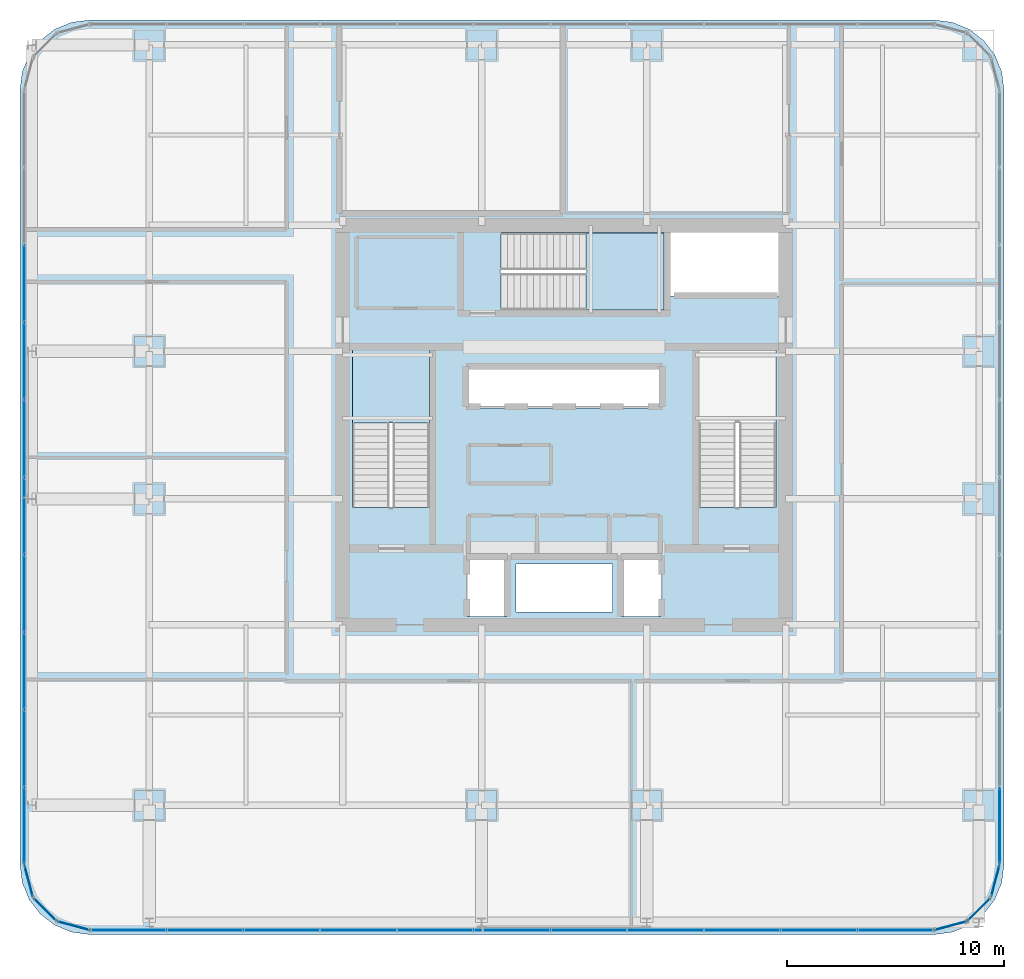
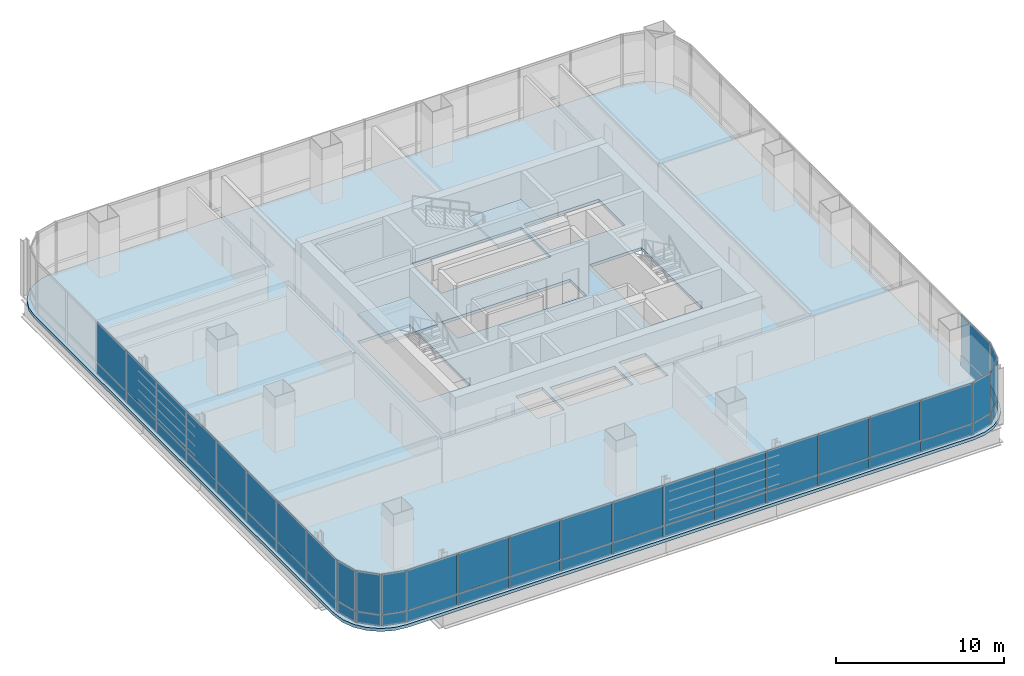
# One storey, part 27 of 36: 52 plates, 3 slabs, 11 elements without a shape of their own.
"""IFC4 building model written with IfcOpenShell, lengths in metres."""

from ifc_helpers import new_model, si_unit, direction, frame, origin, origin_2d, place, context, subcontext, project, spatial, polyline, rectangle, outline, extrude, material, layer, layer_set, type_object, element, aggregate, save


model = new_model("IFC4")

# Units and contexts
model_context = context("Model", 3, precision=1e-05, world=origin(), true_north=direction((0.0, 1.0)))
body_context = subcontext(model_context, "Body", "Model", "MODEL_VIEW")
ifc_project = project(units=[si_unit("LENGTHUNIT", "METRE"), si_unit("AREAUNIT", "SQUARE_METRE"), si_unit("VOLUMEUNIT", "CUBIC_METRE"), si_unit("PLANEANGLEUNIT", "RADIAN"), si_unit("MASSUNIT", "GRAM", prefix="KILO")], contexts=[model_context])

# Site, building, storey
site_placement = place(None, origin())
site = spatial("IfcSite", under=ifc_project, at=site_placement, CompositionType="ELEMENT")
building_placement = place(site_placement, origin())
building = spatial("IfcBuilding", under=site, at=building_placement, Name="Punatoya Terracotta Tower", CompositionType="ELEMENT")
storey_placement = place(building_placement, frame((0.0, 0.0, 180.300048828125)))
storey = spatial("IfcBuildingStorey", under=building, at=storey_placement, Name="L42", CompositionType="ELEMENT", Elevation=180.300048828125)

# Curtain wall, plates
ifc_material_1 = material(Name="Aluminium 6063-T6 + Double Low-E Glass", Category="aluminium")
curtain_wall_type = type_object("IfcCurtainWallType", Name="CW-M2", PredefinedType="NOTDEFINED", material=ifc_material_1)
curtain_wall_1_placement = place(storey_placement, origin())
curtain_wall_1 = element("IfcCurtainWall", 1, at=curtain_wall_1_placement, inside=storey, type_object=curtain_wall_type, Name="L42 Curtain Wall CW-L42-S01-1", PredefinedType="NOTDEFINED")
ifc_material_2 = material(Name="Double Low-E Acoustic Vision Glass", Category="glass")
ifc_layer_1 = layer(ifc_material_2, 0.031982421875)
ifc_layer_set_1 = layer_set([ifc_layer_1], Name="Double Low-E Acoustic Vision Glass")
plate_type_1 = type_object("IfcPlateType", Name="PLT-GLZ-32", PredefinedType="CURTAIN_PANEL", material=ifc_layer_set_1)
plate_1_placement = place(storey_placement, frame((-20.06982421875, -23.25, 0.889892578125), z_axis=(0.0, 0.0, 1.0), x_axis=(1.0, 0.0, 0.0)))
plate_1 = element("IfcPlate", 2, at=plate_1_placement, type_object=plate_type_1, Name="CW-L42-S01-1 Vision Glass Panel 1", PredefinedType="CURTAIN_PANEL", context=body_context, shape_type="SweptSolid", body=[
    extrude(rectangle(XDim=3.448974609375, YDim=0.031982421875, at=origin_2d()), origin(), (0.0, 0.0, 1.0), 2.89990234375),
])
plate_2_placement = place(storey_placement, frame((-16.535888671875, -23.25, 0.889892578125), z_axis=(0.0, 0.0, 1.0), x_axis=(1.0, 0.0, 0.0)))
plate_2 = element("IfcPlate", 3, at=plate_2_placement, type_object=plate_type_1, Name="CW-L42-S01-1 Vision Glass Panel 2", PredefinedType="CURTAIN_PANEL", context=body_context, shape_type="SweptSolid", body=[
    extrude(rectangle(XDim=3.448974609375, YDim=0.031982421875, at=origin_2d()), origin(), (0.0, 0.0, 1.0), 2.89990234375),
])
plate_3_placement = place(storey_placement, frame((-13.001953125, -23.25, 0.889892578125), z_axis=(0.0, 0.0, 1.0), x_axis=(1.0, 0.0, 0.0)))
plate_3 = element("IfcPlate", 4, at=plate_3_placement, type_object=plate_type_1, Name="CW-L42-S01-1 Vision Glass Panel 3", PredefinedType="CURTAIN_PANEL", context=body_context, shape_type="SweptSolid", body=[
    extrude(rectangle(XDim=3.448974609375, YDim=0.031982421875, at=origin_2d()), origin(), (0.0, 0.0, 1.0), 2.89990234375),
])
plate_4_placement = place(storey_placement, frame((-9.468017578125, -23.25, 0.889892578125), z_axis=(0.0, 0.0, 1.0), x_axis=(1.0, 0.0, 0.0)))
plate_4 = element("IfcPlate", 5, at=plate_4_placement, type_object=plate_type_1, Name="CW-L42-S01-1 Vision Glass Panel 4", PredefinedType="CURTAIN_PANEL", context=body_context, shape_type="SweptSolid", body=[
    extrude(rectangle(XDim=3.448974609375, YDim=0.031982421875, at=origin_2d()), origin(), (0.0, 0.0, 1.0), 2.89990234375),
])
plate_5_placement = place(storey_placement, frame((-5.93408203125, -23.25, 0.889892578125), z_axis=(0.0, 0.0, 1.0), x_axis=(1.0, 0.0, 0.0)))
plate_5 = element("IfcPlate", 6, at=plate_5_placement, type_object=plate_type_1, Name="CW-L42-S01-1 Vision Glass Panel 5", PredefinedType="CURTAIN_PANEL", context=body_context, shape_type="SweptSolid", body=[
    extrude(rectangle(XDim=3.448974609375, YDim=0.031982421875, at=origin_2d()), origin(), (0.0, 0.0, 1.0), 2.89990234375),
])
plate_6_placement = place(storey_placement, frame((-2.39990234375, -23.25, 0.889892578125), z_axis=(0.0, 0.0, 1.0), x_axis=(1.0, 0.0, 0.0)))
plate_6 = element("IfcPlate", 7, at=plate_6_placement, type_object=plate_type_1, Name="CW-L42-S01-1 Vision Glass Panel 6", PredefinedType="CURTAIN_PANEL", context=body_context, shape_type="SweptSolid", body=[
    extrude(rectangle(XDim=3.448974609375, YDim=0.031982421875, at=origin_2d()), origin(), (0.0, 0.0, 1.0), 2.89990234375),
])
plate_7_placement = place(storey_placement, frame((1.134033203125, -23.25, 0.889892578125), z_axis=(0.0, 0.0, 1.0), x_axis=(1.0, 0.0, 0.0)))
plate_7 = element("IfcPlate", 8, at=plate_7_placement, type_object=plate_type_1, Name="CW-L42-S01-1 Vision Glass Panel 7", PredefinedType="CURTAIN_PANEL", context=body_context, shape_type="SweptSolid", body=[
    extrude(rectangle(XDim=3.448974609375, YDim=0.031982421875, at=origin_2d()), origin(), (0.0, 0.0, 1.0), 2.89990234375),
])
plate_8_placement = place(storey_placement, frame((4.66796875, -23.25, 0.889892578125), z_axis=(0.0, 0.0, 1.0), x_axis=(1.0, 0.0, 0.0)))
plate_8 = element("IfcPlate", 9, at=plate_8_placement, type_object=plate_type_1, Name="CW-L42-S01-1 Vision Glass Panel 8", PredefinedType="CURTAIN_PANEL", context=body_context, shape_type="SweptSolid", body=[
    extrude(rectangle(XDim=3.448974609375, YDim=0.031982421875, at=origin_2d()), origin(), (0.0, 0.0, 1.0), 2.89990234375),
])
plate_9_placement = place(storey_placement, frame((8.201904296875, -23.25, 0.889892578125), z_axis=(0.0, 0.0, 1.0), x_axis=(1.0, 0.0, 0.0)))
plate_9 = element("IfcPlate", 10, at=plate_9_placement, type_object=plate_type_1, Name="CW-L42-S01-1 Vision Glass Panel 9", PredefinedType="CURTAIN_PANEL", context=body_context, shape_type="SweptSolid", body=[
    extrude(rectangle(XDim=3.448974609375, YDim=0.031982421875, at=origin_2d()), origin(), (0.0, 0.0, 1.0), 2.89990234375),
])
plate_10_placement = place(storey_placement, frame((11.73583984375, -23.25, 0.889892578125), z_axis=(0.0, 0.0, 1.0), x_axis=(1.0, 0.0, 0.0)))
plate_10 = element("IfcPlate", 11, at=plate_10_placement, type_object=plate_type_1, Name="CW-L42-S01-1 Vision Glass Panel 10", PredefinedType="CURTAIN_PANEL", context=body_context, shape_type="SweptSolid", body=[
    extrude(rectangle(XDim=3.448974609375, YDim=0.031982421875, at=origin_2d()), origin(), (0.0, 0.0, 1.0), 2.89990234375),
])
plate_11_placement = place(storey_placement, frame((15.27001953125, -23.25, 0.889892578125), z_axis=(0.0, 0.0, 1.0), x_axis=(1.0, 0.0, 0.0)))
plate_11 = element("IfcPlate", 12, at=plate_11_placement, type_object=plate_type_1, Name="CW-L42-S01-1 Vision Glass Panel 11", PredefinedType="CURTAIN_PANEL", context=body_context, shape_type="SweptSolid", body=[
    extrude(rectangle(XDim=3.448974609375, YDim=0.031982421875, at=origin_2d()), origin(), (0.0, 0.0, 1.0), 2.89990234375),
])

# Curtain wall, plate
curtain_wall_2_placement = place(storey_placement, origin())
curtain_wall_2 = element("IfcCurtainWall", 13, at=curtain_wall_2_placement, inside=storey, type_object=curtain_wall_type, Name="L42 Curtain Wall CW-L42-CRN02", PredefinedType="NOTDEFINED")
plate_12_placement = place(storey_placement, frame((17.79296875, -23.04833984375, 0.889892578125), z_axis=(0.0, 0.0, 1.0), x_axis=(0.966213877436, 0.257741620719, 0.0)))
plate_12 = element("IfcPlate", 14, at=plate_12_placement, type_object=plate_type_1, Name="CW-L42-CRN02 Vision Glass Panel 1", PredefinedType="CURTAIN_PANEL", context=body_context, shape_type="SweptSolid", body=[
    extrude(rectangle(XDim=1.47998046875, YDim=0.031982421875, at=origin_2d()), origin(), (0.0, 0.0, 1.0), 2.89990234375),
])

curtain_wall_3_placement = place(storey_placement, origin())
curtain_wall_3 = element("IfcCurtainWall", 15, at=curtain_wall_3_placement, inside=storey, type_object=curtain_wall_type, Name="L42 Curtain Wall CW-L42-CRN03", PredefinedType="NOTDEFINED")
plate_13_placement = place(storey_placement, frame((19.097900390625, -22.2978515625, 0.889892578125), z_axis=(0.0, 0.0, 1.0), x_axis=(0.707106781187, 0.707106781187, 0.0)))
plate_13 = element("IfcPlate", 16, at=plate_13_placement, type_object=plate_type_1, Name="CW-L42-CRN03 Vision Glass Panel 1", PredefinedType="CURTAIN_PANEL", context=body_context, shape_type="SweptSolid", body=[
    extrude(rectangle(XDim=1.467041015625, YDim=0.031982421875, at=origin_2d()), origin(), (0.0, 0.0, 1.0), 2.89990234375),
])

curtain_wall_4_placement = place(storey_placement, origin())
curtain_wall_4 = element("IfcCurtainWall", 17, at=curtain_wall_4_placement, inside=storey, type_object=curtain_wall_type, Name="L42 Curtain Wall CW-L42-CRN04", PredefinedType="NOTDEFINED")
plate_14_placement = place(storey_placement, frame((19.848388671875, -20.992919921875, 0.889892578125), z_axis=(0.0, 0.0, 1.0), x_axis=(0.257741620719, 0.966213877436, 0.0)))
plate_14 = element("IfcPlate", 18, at=plate_14_placement, type_object=plate_type_1, Name="CW-L42-CRN04 Vision Glass Panel 1", PredefinedType="CURTAIN_PANEL", context=body_context, shape_type="SweptSolid", body=[
    extrude(rectangle(XDim=1.47998046875, YDim=0.031982421875, at=origin_2d()), origin(), (0.0, 0.0, 1.0), 2.89990234375),
])

curtain_wall_5_placement = place(storey_placement, origin())
curtain_wall_5 = element("IfcCurtainWall", 19, at=curtain_wall_5_placement, inside=storey, type_object=curtain_wall_type, Name="L42 Curtain Wall CW-L42-E05-1", PredefinedType="NOTDEFINED")
plate_15_placement = place(storey_placement, frame((20.050048828125, -18.453125, 0.889892578125), z_axis=(0.0, 0.0, 1.0), x_axis=(0.0, 1.0, 0.0)))
plate_15 = element("IfcPlate", 20, at=plate_15_placement, type_object=plate_type_1, Name="CW-L42-E05-1 Vision Glass Panel 1", PredefinedType="CURTAIN_PANEL", context=body_context, shape_type="SweptSolid", body=[
    extrude(rectangle(XDim=3.482421875, YDim=0.031982421875, at=origin_2d()), origin(), (0.0, 0.0, 1.0), 2.89990234375),
])

# Curtain wall, plates
curtain_wall_6_placement = place(storey_placement, origin())
curtain_wall_6 = element("IfcCurtainWall", 21, at=curtain_wall_6_placement, inside=storey, type_object=curtain_wall_type, Name="L42 Curtain Wall CW-L42-W13-1", PredefinedType="NOTDEFINED")
plate_16_placement = place(storey_placement, frame((-24.85009765625, 6.518310546875, 0.889892578125), z_axis=(0.0, 0.0, 1.0), x_axis=(0.0, -1.0, 0.0)))
plate_16 = element("IfcPlate", 22, at=plate_16_placement, type_object=plate_type_1, Name="CW-L42-W13-1 Vision Glass Panel 3", PredefinedType="CURTAIN_PANEL", context=body_context, shape_type="SweptSolid", body=[
    extrude(rectangle(XDim=3.482421875, YDim=0.031982421875, at=origin_2d()), origin(), (0.0, 0.0, 1.0), 2.89990234375),
])
plate_17_placement = place(storey_placement, frame((-24.85009765625, 2.951171875, 0.889892578125), z_axis=(0.0, 0.0, 1.0), x_axis=(0.0, -1.0, 0.0)))
plate_17 = element("IfcPlate", 23, at=plate_17_placement, type_object=plate_type_1, Name="CW-L42-W13-1 Vision Glass Panel 4", PredefinedType="CURTAIN_PANEL", context=body_context, shape_type="SweptSolid", body=[
    extrude(rectangle(XDim=3.482421875, YDim=0.031982421875, at=origin_2d()), origin(), (0.0, 0.0, 1.0), 2.89990234375),
])
plate_18_placement = place(storey_placement, frame((-24.85009765625, -0.6162109375, 0.889892578125), z_axis=(0.0, 0.0, 1.0), x_axis=(0.0, -1.0, 0.0)))
plate_18 = element("IfcPlate", 24, at=plate_18_placement, type_object=plate_type_1, Name="CW-L42-W13-1 Vision Glass Panel 5", PredefinedType="CURTAIN_PANEL", context=body_context, shape_type="SweptSolid", body=[
    extrude(rectangle(XDim=3.482421875, YDim=0.031982421875, at=origin_2d()), origin(), (0.0, 0.0, 1.0), 2.89990234375),
])
plate_19_placement = place(storey_placement, frame((-24.85009765625, -4.18359375, 0.889892578125), z_axis=(0.0, 0.0, 1.0), x_axis=(0.0, -1.0, 0.0)))
plate_19 = element("IfcPlate", 25, at=plate_19_placement, type_object=plate_type_1, Name="CW-L42-W13-1 Vision Glass Panel 6", PredefinedType="CURTAIN_PANEL", context=body_context, shape_type="SweptSolid", body=[
    extrude(rectangle(XDim=3.482421875, YDim=0.031982421875, at=origin_2d()), origin(), (0.0, 0.0, 1.0), 2.89990234375),
])
plate_20_placement = place(storey_placement, frame((-24.85009765625, -7.751220703125, 0.889892578125), z_axis=(0.0, 0.0, 1.0), x_axis=(0.0, -1.0, 0.0)))
plate_20 = element("IfcPlate", 26, at=plate_20_placement, type_object=plate_type_1, Name="CW-L42-W13-1 Vision Glass Panel 7", PredefinedType="CURTAIN_PANEL", context=body_context, shape_type="SweptSolid", body=[
    extrude(rectangle(XDim=3.482421875, YDim=0.031982421875, at=origin_2d()), origin(), (0.0, 0.0, 1.0), 2.89990234375),
])
plate_21_placement = place(storey_placement, frame((-24.85009765625, -11.318359375, 0.889892578125), z_axis=(0.0, 0.0, 1.0), x_axis=(0.0, -1.0, 0.0)))
plate_21 = element("IfcPlate", 27, at=plate_21_placement, type_object=plate_type_1, Name="CW-L42-W13-1 Vision Glass Panel 8", PredefinedType="CURTAIN_PANEL", context=body_context, shape_type="SweptSolid", body=[
    extrude(rectangle(XDim=3.482421875, YDim=0.031982421875, at=origin_2d()), origin(), (0.0, 0.0, 1.0), 2.89990234375),
])
plate_22_placement = place(storey_placement, frame((-24.85009765625, -14.8857421875, 0.889892578125), z_axis=(0.0, 0.0, 1.0), x_axis=(0.0, -1.0, 0.0)))
plate_22 = element("IfcPlate", 28, at=plate_22_placement, type_object=plate_type_1, Name="CW-L42-W13-1 Vision Glass Panel 9", PredefinedType="CURTAIN_PANEL", context=body_context, shape_type="SweptSolid", body=[
    extrude(rectangle(XDim=3.482421875, YDim=0.031982421875, at=origin_2d()), origin(), (0.0, 0.0, 1.0), 2.89990234375),
])
plate_23_placement = place(storey_placement, frame((-24.85009765625, -18.453125, 0.889892578125), z_axis=(0.0, 0.0, 1.0), x_axis=(0.0, -1.0, 0.0)))
plate_23 = element("IfcPlate", 29, at=plate_23_placement, type_object=plate_type_1, Name="CW-L42-W13-1 Vision Glass Panel 10", PredefinedType="CURTAIN_PANEL", context=body_context, shape_type="SweptSolid", body=[
    extrude(rectangle(XDim=3.482421875, YDim=0.031982421875, at=origin_2d()), origin(), (0.0, 0.0, 1.0), 2.89990234375),
])

# Curtain wall, plate
curtain_wall_7_placement = place(storey_placement, origin())
curtain_wall_7 = element("IfcCurtainWall", 30, at=curtain_wall_7_placement, inside=storey, type_object=curtain_wall_type, Name="L42 Curtain Wall CW-L42-CRN14", PredefinedType="NOTDEFINED")
plate_24_placement = place(storey_placement, frame((-24.648193359375, -20.992919921875, 0.889892578125), z_axis=(0.0, 0.0, 1.0), x_axis=(0.257741620719, -0.966213877436, 0.0)))
plate_24 = element("IfcPlate", 31, at=plate_24_placement, type_object=plate_type_1, Name="CW-L42-CRN14 Vision Glass Panel 1", PredefinedType="CURTAIN_PANEL", context=body_context, shape_type="SweptSolid", body=[
    extrude(rectangle(XDim=1.47998046875, YDim=0.031982421875, at=origin_2d()), origin(), (0.0, 0.0, 1.0), 2.89990234375),
])

curtain_wall_8_placement = place(storey_placement, origin())
curtain_wall_8 = element("IfcCurtainWall", 32, at=curtain_wall_8_placement, inside=storey, type_object=curtain_wall_type, Name="L42 Curtain Wall CW-L42-CRN15", PredefinedType="NOTDEFINED")
plate_25_placement = place(storey_placement, frame((-23.89794921875, -22.2978515625, 0.889892578125), z_axis=(0.0, 0.0, 1.0), x_axis=(0.707106781187, -0.707106781187, 0.0)))
plate_25 = element("IfcPlate", 33, at=plate_25_placement, type_object=plate_type_1, Name="CW-L42-CRN15 Vision Glass Panel 1", PredefinedType="CURTAIN_PANEL", context=body_context, shape_type="SweptSolid", body=[
    extrude(rectangle(XDim=1.467041015625, YDim=0.031982421875, at=origin_2d()), origin(), (0.0, 0.0, 1.0), 2.89990234375),
])

curtain_wall_9_placement = place(storey_placement, origin())
curtain_wall_9 = element("IfcCurtainWall", 34, at=curtain_wall_9_placement, inside=storey, type_object=curtain_wall_type, Name="L42 Curtain Wall CW-L42-CRN16", PredefinedType="NOTDEFINED")
plate_26_placement = place(storey_placement, frame((-22.593017578125, -23.04833984375, 0.889892578125), z_axis=(0.0, 0.0, 1.0), x_axis=(0.966213877436, -0.257741620719, 0.0)))
plate_26 = element("IfcPlate", 35, at=plate_26_placement, type_object=plate_type_1, Name="CW-L42-CRN16 Vision Glass Panel 1", PredefinedType="CURTAIN_PANEL", context=body_context, shape_type="SweptSolid", body=[
    extrude(rectangle(XDim=1.47998046875, YDim=0.031982421875, at=origin_2d()), origin(), (0.0, 0.0, 1.0), 2.89990234375),
])

# Plate
ifc_material_3 = material(Name="Insulated Terracotta-Backed Spandrel Panel", Category="masonry")
ifc_layer_2 = layer(ifc_material_3, 0.044921875)
ifc_layer_set_2 = layer_set([ifc_layer_2], Name="Insulated Terracotta-Backed Spandrel Panel")
plate_type_2 = type_object("IfcPlateType", Name="PLT-SPN-45", PredefinedType="CURTAIN_PANEL", material=ifc_layer_set_2)
plate_27_placement = place(storey_placement, frame((-20.06982421875, -23.25, 0.0400390625), z_axis=(0.0, 0.0, 1.0), x_axis=(1.0, 0.0, 0.0)))
plate_27 = element("IfcPlate", 36, at=plate_27_placement, type_object=plate_type_2, Name="CW-L42-S01-1 Terracotta Spandrel Panel 1", PredefinedType="CURTAIN_PANEL", context=body_context, shape_type="SweptSolid", body=[
    extrude(rectangle(XDim=3.448974609375, YDim=0.044921875, at=origin_2d()), origin(), (0.0, 0.0, 1.0), 0.77490234375),
])

plate_28_placement = place(storey_placement, frame((-16.535888671875, -23.25, 0.0400390625), z_axis=(0.0, 0.0, 1.0), x_axis=(1.0, 0.0, 0.0)))
plate_28 = element("IfcPlate", 37, at=plate_28_placement, type_object=plate_type_2, Name="CW-L42-S01-1 Terracotta Spandrel Panel 2", PredefinedType="CURTAIN_PANEL", context=body_context, shape_type="SweptSolid", body=[
    extrude(rectangle(XDim=3.448974609375, YDim=0.044921875, at=origin_2d()), origin(), (0.0, 0.0, 1.0), 0.77490234375),
])

plate_29_placement = place(storey_placement, frame((-13.001953125, -23.25, 0.0400390625), z_axis=(0.0, 0.0, 1.0), x_axis=(1.0, 0.0, 0.0)))
plate_29 = element("IfcPlate", 38, at=plate_29_placement, type_object=plate_type_2, Name="CW-L42-S01-1 Terracotta Spandrel Panel 3", PredefinedType="CURTAIN_PANEL", context=body_context, shape_type="SweptSolid", body=[
    extrude(rectangle(XDim=3.448974609375, YDim=0.044921875, at=origin_2d()), origin(), (0.0, 0.0, 1.0), 0.77490234375),
])

plate_30_placement = place(storey_placement, frame((-9.468017578125, -23.25, 0.0400390625), z_axis=(0.0, 0.0, 1.0), x_axis=(1.0, 0.0, 0.0)))
plate_30 = element("IfcPlate", 39, at=plate_30_placement, type_object=plate_type_2, Name="CW-L42-S01-1 Terracotta Spandrel Panel 4", PredefinedType="CURTAIN_PANEL", context=body_context, shape_type="SweptSolid", body=[
    extrude(rectangle(XDim=3.448974609375, YDim=0.044921875, at=origin_2d()), origin(), (0.0, 0.0, 1.0), 0.77490234375),
])

plate_31_placement = place(storey_placement, frame((-5.93408203125, -23.25, 0.0400390625), z_axis=(0.0, 0.0, 1.0), x_axis=(1.0, 0.0, 0.0)))
plate_31 = element("IfcPlate", 40, at=plate_31_placement, type_object=plate_type_2, Name="CW-L42-S01-1 Terracotta Spandrel Panel 5", PredefinedType="CURTAIN_PANEL", context=body_context, shape_type="SweptSolid", body=[
    extrude(rectangle(XDim=3.448974609375, YDim=0.044921875, at=origin_2d()), origin(), (0.0, 0.0, 1.0), 0.77490234375),
])

plate_32_placement = place(storey_placement, frame((-2.39990234375, -23.25, 0.0400390625), z_axis=(0.0, 0.0, 1.0), x_axis=(1.0, 0.0, 0.0)))
plate_32 = element("IfcPlate", 41, at=plate_32_placement, type_object=plate_type_2, Name="CW-L42-S01-1 Terracotta Spandrel Panel 6", PredefinedType="CURTAIN_PANEL", context=body_context, shape_type="SweptSolid", body=[
    extrude(rectangle(XDim=3.448974609375, YDim=0.044921875, at=origin_2d()), origin(), (0.0, 0.0, 1.0), 0.77490234375),
])

plate_33_placement = place(storey_placement, frame((1.134033203125, -23.25, 0.0400390625), z_axis=(0.0, 0.0, 1.0), x_axis=(1.0, 0.0, 0.0)))
plate_33 = element("IfcPlate", 42, at=plate_33_placement, type_object=plate_type_2, Name="CW-L42-S01-1 Terracotta Spandrel Panel 7", PredefinedType="CURTAIN_PANEL", context=body_context, shape_type="SweptSolid", body=[
    extrude(rectangle(XDim=3.448974609375, YDim=0.044921875, at=origin_2d()), origin(), (0.0, 0.0, 1.0), 0.77490234375),
])

plate_34_placement = place(storey_placement, frame((4.66796875, -23.25, 0.0400390625), z_axis=(0.0, 0.0, 1.0), x_axis=(1.0, 0.0, 0.0)))
plate_34 = element("IfcPlate", 43, at=plate_34_placement, type_object=plate_type_2, Name="CW-L42-S01-1 Terracotta Spandrel Panel 8", PredefinedType="CURTAIN_PANEL", context=body_context, shape_type="SweptSolid", body=[
    extrude(rectangle(XDim=3.448974609375, YDim=0.044921875, at=origin_2d()), origin(), (0.0, 0.0, 1.0), 0.77490234375),
])

plate_35_placement = place(storey_placement, frame((8.201904296875, -23.25, 0.0400390625), z_axis=(0.0, 0.0, 1.0), x_axis=(1.0, 0.0, 0.0)))
plate_35 = element("IfcPlate", 44, at=plate_35_placement, type_object=plate_type_2, Name="CW-L42-S01-1 Terracotta Spandrel Panel 9", PredefinedType="CURTAIN_PANEL", context=body_context, shape_type="SweptSolid", body=[
    extrude(rectangle(XDim=3.448974609375, YDim=0.044921875, at=origin_2d()), origin(), (0.0, 0.0, 1.0), 0.77490234375),
])

plate_36_placement = place(storey_placement, frame((11.73583984375, -23.25, 0.0400390625), z_axis=(0.0, 0.0, 1.0), x_axis=(1.0, 0.0, 0.0)))
plate_36 = element("IfcPlate", 45, at=plate_36_placement, type_object=plate_type_2, Name="CW-L42-S01-1 Terracotta Spandrel Panel 10", PredefinedType="CURTAIN_PANEL", context=body_context, shape_type="SweptSolid", body=[
    extrude(rectangle(XDim=3.448974609375, YDim=0.044921875, at=origin_2d()), origin(), (0.0, 0.0, 1.0), 0.77490234375),
])

plate_37_placement = place(storey_placement, frame((15.27001953125, -23.25, 0.0400390625), z_axis=(0.0, 0.0, 1.0), x_axis=(1.0, 0.0, 0.0)))
plate_37 = element("IfcPlate", 46, at=plate_37_placement, type_object=plate_type_2, Name="CW-L42-S01-1 Terracotta Spandrel Panel 11", PredefinedType="CURTAIN_PANEL", context=body_context, shape_type="SweptSolid", body=[
    extrude(rectangle(XDim=3.448974609375, YDim=0.044921875, at=origin_2d()), origin(), (0.0, 0.0, 1.0), 0.77490234375),
])

aggregate(curtain_wall_1, [plate_27, plate_1, plate_28, plate_2, plate_29, plate_3, plate_30, plate_4, plate_31, plate_5, plate_32, plate_6, plate_33, plate_7, plate_34, plate_8, plate_35, plate_9, plate_36, plate_10, plate_37, plate_11])

plate_38_placement = place(storey_placement, frame((17.79296875, -23.04833984375, 0.0400390625), z_axis=(0.0, 0.0, 1.0), x_axis=(0.966213877436, 0.257741620719, 0.0)))
plate_38 = element("IfcPlate", 47, at=plate_38_placement, type_object=plate_type_2, Name="CW-L42-CRN02 Terracotta Spandrel Panel 1", PredefinedType="CURTAIN_PANEL", context=body_context, shape_type="SweptSolid", body=[
    extrude(rectangle(XDim=1.47998046875, YDim=0.044921875, at=origin_2d()), origin(), (0.0, 0.0, 1.0), 0.77490234375),
])

aggregate(curtain_wall_2, [plate_38, plate_12])

plate_39_placement = place(storey_placement, frame((19.097900390625, -22.2978515625, 0.0400390625), z_axis=(0.0, 0.0, 1.0), x_axis=(0.707106781187, 0.707106781187, 0.0)))
plate_39 = element("IfcPlate", 48, at=plate_39_placement, type_object=plate_type_2, Name="CW-L42-CRN03 Terracotta Spandrel Panel 1", PredefinedType="CURTAIN_PANEL", context=body_context, shape_type="SweptSolid", body=[
    extrude(rectangle(XDim=1.467041015625, YDim=0.044921875, at=origin_2d()), origin(), (0.0, 0.0, 1.0), 0.77490234375),
])

aggregate(curtain_wall_3, [plate_39, plate_13])

plate_40_placement = place(storey_placement, frame((19.848388671875, -20.992919921875, 0.0400390625), z_axis=(0.0, 0.0, 1.0), x_axis=(0.257741620719, 0.966213877436, 0.0)))
plate_40 = element("IfcPlate", 49, at=plate_40_placement, type_object=plate_type_2, Name="CW-L42-CRN04 Terracotta Spandrel Panel 1", PredefinedType="CURTAIN_PANEL", context=body_context, shape_type="SweptSolid", body=[
    extrude(rectangle(XDim=1.47998046875, YDim=0.044921875, at=origin_2d()), origin(), (0.0, 0.0, 1.0), 0.77490234375),
])

aggregate(curtain_wall_4, [plate_40, plate_14])

plate_41_placement = place(storey_placement, frame((20.050048828125, -18.453125, 0.0400390625), z_axis=(0.0, 0.0, 1.0), x_axis=(0.0, 1.0, 0.0)))
plate_41 = element("IfcPlate", 50, at=plate_41_placement, type_object=plate_type_2, Name="CW-L42-E05-1 Terracotta Spandrel Panel 1", PredefinedType="CURTAIN_PANEL", context=body_context, shape_type="SweptSolid", body=[
    extrude(rectangle(XDim=3.482421875, YDim=0.044921875, at=origin_2d()), origin(), (0.0, 0.0, 1.0), 0.77490234375),
])

aggregate(curtain_wall_5, [plate_41, plate_15])

plate_42_placement = place(storey_placement, frame((-24.85009765625, 6.518310546875, 0.0400390625), z_axis=(0.0, 0.0, 1.0), x_axis=(0.0, -1.0, 0.0)))
plate_42 = element("IfcPlate", 51, at=plate_42_placement, type_object=plate_type_2, Name="CW-L42-W13-1 Terracotta Spandrel Panel 3", PredefinedType="CURTAIN_PANEL", context=body_context, shape_type="SweptSolid", body=[
    extrude(rectangle(XDim=3.482421875, YDim=0.044921875, at=origin_2d()), origin(), (0.0, 0.0, 1.0), 0.77490234375),
])

plate_43_placement = place(storey_placement, frame((-24.85009765625, 2.951171875, 0.0400390625), z_axis=(0.0, 0.0, 1.0), x_axis=(0.0, -1.0, 0.0)))
plate_43 = element("IfcPlate", 52, at=plate_43_placement, type_object=plate_type_2, Name="CW-L42-W13-1 Terracotta Spandrel Panel 4", PredefinedType="CURTAIN_PANEL", context=body_context, shape_type="SweptSolid", body=[
    extrude(rectangle(XDim=3.482421875, YDim=0.044921875, at=origin_2d()), origin(), (0.0, 0.0, 1.0), 0.77490234375),
])

plate_44_placement = place(storey_placement, frame((-24.85009765625, -0.6162109375, 0.0400390625), z_axis=(0.0, 0.0, 1.0), x_axis=(0.0, -1.0, 0.0)))
plate_44 = element("IfcPlate", 53, at=plate_44_placement, type_object=plate_type_2, Name="CW-L42-W13-1 Terracotta Spandrel Panel 5", PredefinedType="CURTAIN_PANEL", context=body_context, shape_type="SweptSolid", body=[
    extrude(rectangle(XDim=3.482421875, YDim=0.044921875, at=origin_2d()), origin(), (0.0, 0.0, 1.0), 0.77490234375),
])

plate_45_placement = place(storey_placement, frame((-24.85009765625, -4.18359375, 0.0400390625), z_axis=(0.0, 0.0, 1.0), x_axis=(0.0, -1.0, 0.0)))
plate_45 = element("IfcPlate", 54, at=plate_45_placement, type_object=plate_type_2, Name="CW-L42-W13-1 Terracotta Spandrel Panel 6", PredefinedType="CURTAIN_PANEL", context=body_context, shape_type="SweptSolid", body=[
    extrude(rectangle(XDim=3.482421875, YDim=0.044921875, at=origin_2d()), origin(), (0.0, 0.0, 1.0), 0.77490234375),
])

plate_46_placement = place(storey_placement, frame((-24.85009765625, -7.751220703125, 0.0400390625), z_axis=(0.0, 0.0, 1.0), x_axis=(0.0, -1.0, 0.0)))
plate_46 = element("IfcPlate", 55, at=plate_46_placement, type_object=plate_type_2, Name="CW-L42-W13-1 Terracotta Spandrel Panel 7", PredefinedType="CURTAIN_PANEL", context=body_context, shape_type="SweptSolid", body=[
    extrude(rectangle(XDim=3.482421875, YDim=0.044921875, at=origin_2d()), origin(), (0.0, 0.0, 1.0), 0.77490234375),
])

plate_47_placement = place(storey_placement, frame((-24.85009765625, -11.318359375, 0.0400390625), z_axis=(0.0, 0.0, 1.0), x_axis=(0.0, -1.0, 0.0)))
plate_47 = element("IfcPlate", 56, at=plate_47_placement, type_object=plate_type_2, Name="CW-L42-W13-1 Terracotta Spandrel Panel 8", PredefinedType="CURTAIN_PANEL", context=body_context, shape_type="SweptSolid", body=[
    extrude(rectangle(XDim=3.482421875, YDim=0.044921875, at=origin_2d()), origin(), (0.0, 0.0, 1.0), 0.77490234375),
])

plate_48_placement = place(storey_placement, frame((-24.85009765625, -14.8857421875, 0.0400390625), z_axis=(0.0, 0.0, 1.0), x_axis=(0.0, -1.0, 0.0)))
plate_48 = element("IfcPlate", 57, at=plate_48_placement, type_object=plate_type_2, Name="CW-L42-W13-1 Terracotta Spandrel Panel 9", PredefinedType="CURTAIN_PANEL", context=body_context, shape_type="SweptSolid", body=[
    extrude(rectangle(XDim=3.482421875, YDim=0.044921875, at=origin_2d()), origin(), (0.0, 0.0, 1.0), 0.77490234375),
])

plate_49_placement = place(storey_placement, frame((-24.85009765625, -18.453125, 0.0400390625), z_axis=(0.0, 0.0, 1.0), x_axis=(0.0, -1.0, 0.0)))
plate_49 = element("IfcPlate", 58, at=plate_49_placement, type_object=plate_type_2, Name="CW-L42-W13-1 Terracotta Spandrel Panel 10", PredefinedType="CURTAIN_PANEL", context=body_context, shape_type="SweptSolid", body=[
    extrude(rectangle(XDim=3.482421875, YDim=0.044921875, at=origin_2d()), origin(), (0.0, 0.0, 1.0), 0.77490234375),
])

aggregate(curtain_wall_6, [plate_42, plate_16, plate_43, plate_17, plate_44, plate_18, plate_45, plate_19, plate_46, plate_20, plate_47, plate_21, plate_48, plate_22, plate_49, plate_23])

plate_50_placement = place(storey_placement, frame((-24.648193359375, -20.992919921875, 0.0400390625), z_axis=(0.0, 0.0, 1.0), x_axis=(0.257741620719, -0.966213877436, 0.0)))
plate_50 = element("IfcPlate", 59, at=plate_50_placement, type_object=plate_type_2, Name="CW-L42-CRN14 Terracotta Spandrel Panel 1", PredefinedType="CURTAIN_PANEL", context=body_context, shape_type="SweptSolid", body=[
    extrude(rectangle(XDim=1.47998046875, YDim=0.044921875, at=origin_2d()), origin(), (0.0, 0.0, 1.0), 0.77490234375),
])

aggregate(curtain_wall_7, [plate_50, plate_24])

plate_51_placement = place(storey_placement, frame((-23.89794921875, -22.2978515625, 0.0400390625), z_axis=(0.0, 0.0, 1.0), x_axis=(0.707106781187, -0.707106781187, 0.0)))
plate_51 = element("IfcPlate", 60, at=plate_51_placement, type_object=plate_type_2, Name="CW-L42-CRN15 Terracotta Spandrel Panel 1", PredefinedType="CURTAIN_PANEL", context=body_context, shape_type="SweptSolid", body=[
    extrude(rectangle(XDim=1.467041015625, YDim=0.044921875, at=origin_2d()), origin(), (0.0, 0.0, 1.0), 0.77490234375),
])

aggregate(curtain_wall_8, [plate_51, plate_25])

plate_52_placement = place(storey_placement, frame((-22.593017578125, -23.04833984375, 0.0400390625), z_axis=(0.0, 0.0, 1.0), x_axis=(0.966213877436, -0.257741620719, 0.0)))
plate_52 = element("IfcPlate", 61, at=plate_52_placement, type_object=plate_type_2, Name="CW-L42-CRN16 Terracotta Spandrel Panel 1", PredefinedType="CURTAIN_PANEL", context=body_context, shape_type="SweptSolid", body=[
    extrude(rectangle(XDim=1.47998046875, YDim=0.044921875, at=origin_2d()), origin(), (0.0, 0.0, 1.0), 0.77490234375),
])

aggregate(curtain_wall_9, [plate_52, plate_26])

# Stair, slab
ifc_material_4 = material(Name="Concrete C40/50", Category="concrete")
stair_type_1 = type_object("IfcStairType", Name="STR-TER-1450", PredefinedType="HALF_TURN_STAIR", material=ifc_material_4)
stair_1_placement = place(storey_placement, origin())
stair_1 = element("IfcStair", 62, at=stair_1_placement, inside=storey, type_object=stair_type_1, Name="L42 Protected Core Exit Stair ST-3", PredefinedType="HALF_TURN_STAIR")
ifc_layer_3 = layer(ifc_material_4, 0.1650390625)
ifc_layer_set_3 = layer_set([ifc_layer_3], Name="Concrete C40/50")
slab_type_1 = type_object("IfcSlabType", Name="SLB-LND-165", PredefinedType="LANDING", material=ifc_layer_set_3)
slab_1_placement = place(storey_placement, frame((0.0, 0.0, 1.824951171875)))
slab_1 = element("IfcSlab", 63, at=slab_1_placement, type_object=slab_type_1, Name="ST-3 landing 1", PredefinedType="LANDING", context=body_context, shape_type="SweptSolid", body=[
    extrude(outline(polyline([(1.0, 5.300048828125), (4.60009765625, 5.300048828125), (4.60009765625, 8.85009765625), (1.0, 8.85009765625), (1.0, 5.300048828125)])), origin(), (0.0, 0.0, 1.0), 0.199951171875),
])
aggregate(stair_1, [slab_1])

stair_type_2 = type_object("IfcStairType", Name="STR-CORE-1550", PredefinedType="HALF_TURN_STAIR", material=ifc_material_4)
stair_2_placement = place(storey_placement, origin())
stair_2 = element("IfcStair", 64, at=stair_2_placement, inside=storey, type_object=stair_type_2, Name="L42 Protected Core Exit Stair ST-1", PredefinedType="HALF_TURN_STAIR")
ifc_layer_4 = layer(ifc_material_4, 0.179931640625)
ifc_layer_set_4 = layer_set([ifc_layer_4], Name="Concrete C40/50")
slab_type_2 = type_object("IfcSlabType", Name="SLB-LND-180", PredefinedType="LANDING", material=ifc_layer_set_4)
slab_2_placement = place(storey_placement, frame((0.0, 0.0, 1.824951171875)))
slab_2 = element("IfcSlab", 65, at=slab_2_placement, type_object=slab_type_2, Name="ST-1 landing 1", PredefinedType="LANDING", context=body_context, shape_type="SweptSolid", body=[
    extrude(outline(polyline([(-6.199951171875, 0.10009765625), (-6.199951171875, 3.449951171875), (-9.75, 3.449951171875), (-9.75, 0.10009765625), (-6.199951171875, 0.10009765625)])), origin(), (0.0, 0.0, 1.0), 0.199951171875),
])
aggregate(stair_2, [slab_2])

# Slab
ifc_layer_5 = layer(ifc_material_4, 0.219970703125)
ifc_layer_set_5 = layer_set([ifc_layer_5], Name="Concrete C40/50")
slab_type_3 = type_object("IfcSlabType", Name="SLB-OFF-220", PredefinedType="FLOOR", material=ifc_layer_set_5)
slab_3_placement = place(storey_placement, frame((0.0, 0.0, -0.219970703125)))
element("IfcSlab", 66, at=slab_3_placement, inside=storey, type_object=slab_type_3, Name="L42 Structural Floor Slab", PredefinedType="FLOOR", context=body_context, shape_type="SweptSolid", body=[
    extrude(outline(polyline([(-21.85009765625, -23.449951171875), (-22.67822265625, -23.341064453125), (-23.449951171875, -23.021240234375), (-24.11279296875, -22.5126953125), (-24.621337890625, -21.85009765625), (-24.94091796875, -21.078125), (-25.050048828125, -20.25), (-25.050048828125, 15.449951171875), (-24.94091796875, 16.2783203125), (-24.621337890625, 17.050048828125), (-24.11279296875, 17.712646484375), (-23.449951171875, 18.22119140625), (-22.67822265625, 18.541015625), (-21.85009765625, 18.64990234375), (17.050048828125, 18.64990234375), (17.878173828125, 18.541015625), (18.64990234375, 18.22119140625), (19.312744140625, 17.712646484375), (19.8212890625, 17.050048828125), (20.14111328125, 16.2783203125), (20.25, 15.449951171875), (20.25, -20.25), (20.14111328125, -21.078125), (19.8212890625, -21.85009765625), (19.312744140625, -22.5126953125), (18.64990234375, -23.021240234375), (17.878173828125, -23.341064453125), (17.050048828125, -23.449951171875), (-21.85009765625, -23.449951171875)]), holes=[polyline([(-2.6298828125, -6.179931640625), (-4.469970703125, -6.179931640625), (-4.469970703125, -8.820068359375), (-2.6298828125, -8.820068359375), (-2.6298828125, -6.179931640625)]), polyline([(0.02001953125, -8.594970703125), (2.219970703125, -8.594970703125), (2.219970703125, -6.405029296875), (0.02001953125, -6.405029296875), (-0.02001953125, -6.405029296875), (-2.219970703125, -6.405029296875), (-2.219970703125, -8.594970703125), (-0.02001953125, -8.594970703125), (0.02001953125, -8.594970703125)]), polyline([(-6.199951171875, 3.449951171875), (-9.75, 3.449951171875), (-9.75, -3.79931640625), (-6.199951171875, -3.79931640625), (-6.199951171875, 3.449951171875)]), polyline([(-4.419921875, 2.719970703125), (-4.419921875, 0.780029296875), (-2.219970703125, 0.780029296875), (-2.179931640625, 0.780029296875), (-0.02001953125, 0.780029296875), (0.02001953125, 0.780029296875), (2.179931640625, 0.780029296875), (2.219970703125, 0.780029296875), (4.419921875, 0.780029296875), (4.419921875, 2.719970703125), (2.219970703125, 2.719970703125), (2.179931640625, 2.719970703125), (0.02001953125, 2.719970703125), (-0.02001953125, 2.719970703125), (-2.179931640625, 2.719970703125), (-2.219970703125, 2.719970703125), (-4.419921875, 2.719970703125)]), polyline([(4.60009765625, 5.300048828125), (4.60009765625, 8.85009765625), (-2.899169921875, 8.85009765625), (-2.899169921875, 5.300048828125), (4.60009765625, 5.300048828125)]), polyline([(4.469970703125, -8.820068359375), (4.469970703125, -6.179931640625), (2.6298828125, -6.179931640625), (2.6298828125, -8.820068359375), (4.469970703125, -8.820068359375)]), polyline([(9.75, 3.449951171875), (6.199951171875, 3.449951171875), (6.199951171875, -3.79931640625), (9.75, -3.79931640625), (9.75, 3.449951171875)]), polyline([(10.050048828125, 5.949951171875), (10.050048828125, 9.050048828125), (4.89990234375, 9.050048828125), (4.89990234375, 5.949951171875), (10.050048828125, 5.949951171875)])]), origin(), (0.0, 0.0, 1.0), 0.219970703125),
])

save(model, "model.ifc")
